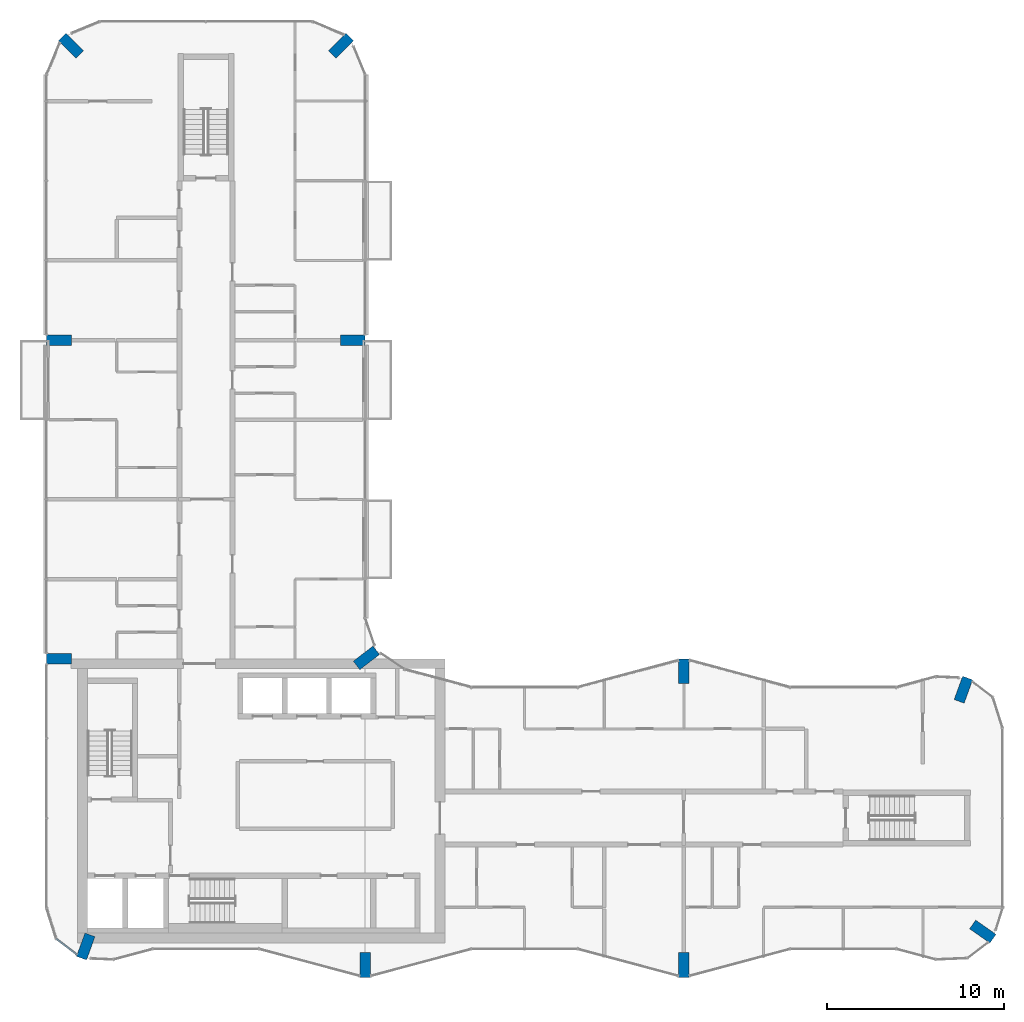
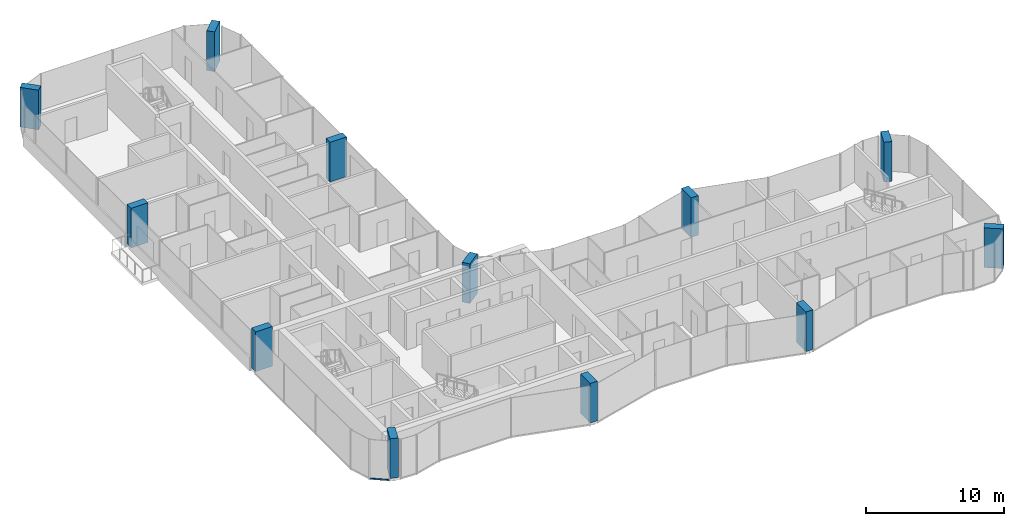
# One storey, part 1 of 15: 12 columns, 1 member, 1 element without a shape of its own.
"""IFC4 building model written with IfcOpenShell, lengths in metres."""

import ifcopenshell
import ifcopenshell.guid

model = None  # the IFC model being written
_history = None  # IfcOwnerHistory: only IFC2X3 demands one
_inside = {}  # id of a spatial element -> (the spatial element, [elements in it])
_under = {}  # id of a project, library or spatial element -> (it, [spatial elements below it])
_declared = {}  # id of a project -> (the project, [libraries it declares])
_typed = {}  # id of a type object -> (the type object, [elements of that type])
_made_of = {}  # id of a material, layer set ... -> (it, [elements and type objects made of it])


def new_model(schema):
    """Start an empty IFC model of exactly this schema.

    Asked for "IFC4X3", IfcOpenShell would pick the latest addendum, in which some entities
    have other attributes; the version numbers below select the first issue.
    IFC2X3 requires an IfcOwnerHistory on every rooted entity: one is made here for all.
    """
    global model, _history
    if schema == "IFC4X3":
        model = ifcopenshell.file(schema_version=(4, 3, 0, 0))
    else:
        model = ifcopenshell.file(schema=schema)
    _inside.clear()
    _under.clear()
    _declared.clear()
    _typed.clear()
    _made_of.clear()
    _history = None
    if model.schema == "IFC2X3":
        org = make("IfcOrganization", Name="unknown")
        user = make(
            "IfcPersonAndOrganization",
            ThePerson=make("IfcPerson", FamilyName="unknown"),
            TheOrganization=org,
        )
        app = make(
            "IfcApplication",
            ApplicationDeveloper=org,
            Version="unknown",
            ApplicationFullName="unknown",
            ApplicationIdentifier="unknown",
        )
        _history = make(
            "IfcOwnerHistory",
            OwningUser=user,
            OwningApplication=app,
            ChangeAction="ADDED",
            CreationDate=0,
        )
    return model


def make(cls, **values):
    """One entity of the class cls with the attributes given. An attribute that is None is left unset."""
    return model.create_entity(
        cls, **{name: value for name, value in values.items() if value is not None}
    )


def rooted(cls, **values):
    """An entity with a GlobalId (a new one), such as an element, a storey or a relation."""
    return make(cls, GlobalId=ifcopenshell.guid.new(), OwnerHistory=_history, **values)


def si_unit(unit_type, name, prefix=None):
    """IfcSIUnit, for example si_unit("LENGTHUNIT", "METRE", prefix="MILLI")."""
    return make("IfcSIUnit", UnitType=unit_type, Prefix=prefix, Name=name)


def assignment(units):
    """IfcUnitAssignment: the units of a project."""
    return None if units is None else make("IfcUnitAssignment", Units=units)


def point(xyz):
    """IfcCartesianPoint."""
    return None if xyz is None else make("IfcCartesianPoint", Coordinates=xyz)


def direction(xyz):
    """IfcDirection."""
    return None if xyz is None else make("IfcDirection", DirectionRatios=xyz)


def frame(location, z_axis=None, x_axis=None):
    """IfcAxis2Placement3D, a coordinate frame: its origin and axes. An axis left out is left unset."""
    return make(
        "IfcAxis2Placement3D",
        Location=point(location),
        Axis=direction(z_axis),
        RefDirection=direction(x_axis),
    )


def frame_2d(location, x_axis=None):
    """IfcAxis2Placement2D, a coordinate frame in the plane: its origin and x axis."""
    return make(
        "IfcAxis2Placement2D", Location=point(location), RefDirection=direction(x_axis)
    )


def origin():
    """The frame at (0, 0, 0) with its axes left unset."""
    return frame((0.0, 0.0, 0.0))


def origin_2d():
    """The frame at (0, 0) in the plane with its x axis left unset."""
    return frame_2d((0.0, 0.0))


def place(relative_to, where):
    """IfcLocalPlacement: puts the frame where relative to a parent placement (None: the world)."""
    return make(
        "IfcLocalPlacement", PlacementRelTo=relative_to, RelativePlacement=where
    )


def context(
    kind, dimensions, precision=None, world=None, true_north=None, identifier=None
):
    """IfcGeometricRepresentationContext, for example the 3D "Model" context."""
    return make(
        "IfcGeometricRepresentationContext",
        ContextIdentifier=identifier,
        ContextType=kind,
        CoordinateSpaceDimension=dimensions,
        Precision=precision,
        WorldCoordinateSystem=world,
        TrueNorth=true_north,
    )


def subcontext(parent, identifier, kind, view, scale=None):
    """IfcGeometricRepresentationSubContext, for example "Body" below "Model"."""
    return make(
        "IfcGeometricRepresentationSubContext",
        ContextIdentifier=identifier,
        ContextType=kind,
        ParentContext=parent,
        TargetScale=scale,
        TargetView=view,
    )


def project(units=None, contexts=None):
    """IfcProject with its units and contexts."""
    return rooted(
        "IfcProject",
        Name="project",
        RepresentationContexts=contexts,
        UnitsInContext=assignment(units),
    )


def spatial(cls, under=None, at=None, **own):
    """A site, building, storey or space (cls), placed at a placement, below another one or the project."""
    s = rooted(cls, ObjectPlacement=at, **own)
    if under is not None:
        _under.setdefault(under.id(), (under, []))[1].append(s)
    return s


def profile(cls, at=None, kind="AREA", **sizes):
    """A parametric profile (cls). Its sizes go by their IFC names, for example OverallWidth=200.0."""
    return make(cls, ProfileType=kind, Position=at, **sizes)


def rectangle(**sizes):
    """IfcRectangleProfileDef."""
    return profile("IfcRectangleProfileDef", **sizes)


def extrude(swept, where, along, depth):
    """IfcExtrudedAreaSolid: the profile swept, set in the frame where, extruded along a direction by depth."""
    return make(
        "IfcExtrudedAreaSolid",
        SweptArea=swept,
        Position=where,
        ExtrudedDirection=direction(along),
        Depth=depth,
    )


def shape(context_of_items, identifier, shape_type, items):
    """IfcShapeRepresentation: the items that make up one representation, for example the "Body"."""
    return make(
        "IfcShapeRepresentation",
        ContextOfItems=context_of_items,
        RepresentationIdentifier=identifier,
        RepresentationType=shape_type,
        Items=items,
    )


def material(Name=None, Category=None):
    """IfcMaterial."""
    return make("IfcMaterial", Name=Name, Category=Category)


def layer(
    of_material, thickness, ventilated=None, Name=None, Category=None, Priority=None
):
    """IfcMaterialLayer: one layer of a wall or slab, of a material (None: an air gap)."""
    return make(
        "IfcMaterialLayer",
        Material=of_material,
        LayerThickness=thickness,
        IsVentilated=ventilated,
        Name=Name,
        Category=Category,
        Priority=Priority,
    )


def layer_set(layers, Name=None):
    """IfcMaterialLayerSet."""
    return make("IfcMaterialLayerSet", MaterialLayers=layers, LayerSetName=Name)


def material_profile(
    of_material, cross_section, Name=None, Category=None, Priority=None
):
    """IfcMaterialProfile: a cross section and its material."""
    return make(
        "IfcMaterialProfile",
        Name=Name,
        Material=of_material,
        Profile=cross_section,
        Priority=Priority,
        Category=Category,
    )


def profile_set(profiles, Name=None, composite=None):
    """IfcMaterialProfileSet."""
    return make(
        "IfcMaterialProfileSet",
        Name=Name,
        MaterialProfiles=profiles,
        CompositeProfile=composite,
    )


def made_of(thing, what):
    """Note that an element or type object is made of a material, layer set ...; save() writes the relation."""
    if what is not None:
        _made_of.setdefault(what.id(), (what, []))[1].append(thing)
    return thing


def type_object(cls, material=None, **own):
    """A type object (cls), such as IfcWallType, which elements share."""
    return made_of(rooted(cls, **own), material)


def element(
    cls,
    number,
    at=None,
    inside=None,
    cuts=None,
    type_object=None,
    material=None,
    context=None,
    identifier="Body",
    shape_type=None,
    held_by="IfcProductDefinitionShape",
    body=None,
    shapes=None,
    **own,
):
    """One element of the class cls, such as IfcWall. Its Tag is "e" and its number.

    at: its placement. inside: the storey or other place that contains it. cuts: it is an
    opening in that element (IfcRelVoidsElement). A single representation is given by context,
    identifier, shape_type and body (its items); several are given by shapes. held_by: the class
    of the entity that holds the representations. save() writes the other relations.
    """
    e = rooted(cls, Tag="e%d" % number, ObjectPlacement=at, **own)
    if body is not None:
        shapes = [shape(context, identifier, shape_type, body)]
    if shapes is not None:
        e.Representation = make(held_by, Representations=shapes)
    if inside is not None:
        _inside.setdefault(inside.id(), (inside, []))[1].append(e)
    if cuts is not None:
        rooted(
            "IfcRelVoidsElement", RelatingBuildingElement=cuts, RelatedOpeningElement=e
        )
    if type_object is not None:
        _typed.setdefault(type_object.id(), (type_object, []))[1].append(e)
    return made_of(e, material)


def aggregate(whole, parts):
    """IfcRelAggregates: a whole, such as a stair, and the parts it consists of."""
    return rooted("IfcRelAggregates", RelatingObject=whole, RelatedObjects=parts)


def save(model, path):
    """Write the relations noted so far, then the file.

    IfcRelAggregates (storeys below a building ...), IfcRelContainedInSpatialStructure (elements
    in a storey), IfcRelDefinesByType, IfcRelAssociatesMaterial and IfcRelDeclares: one each for
    every whole, place, type object, material and project.
    """
    for whole, parts in _under.values():
        aggregate(whole, parts)
    for where, things in _inside.values():
        rooted(
            "IfcRelContainedInSpatialStructure",
            RelatedElements=things,
            RelatingStructure=where,
        )
    for kind, things in _typed.values():
        rooted("IfcRelDefinesByType", RelatedObjects=things, RelatingType=kind)
    for what, things in _made_of.values():
        rooted("IfcRelAssociatesMaterial", RelatedObjects=things, RelatingMaterial=what)
    for by, libraries in _declared.values():
        rooted("IfcRelDeclares", RelatingContext=by, RelatedDefinitions=libraries)
    model.write(path)


model = new_model("IFC4")

# Units and contexts
model_context = context("Model", 3, precision=1e-05, world=origin(), true_north=direction((0.0, 1.0)))
body_context = subcontext(model_context, "Body", "Model", "MODEL_VIEW")
ifc_project = project(units=[si_unit("LENGTHUNIT", "METRE"), si_unit("AREAUNIT", "SQUARE_METRE"), si_unit("VOLUMEUNIT", "CUBIC_METRE"), si_unit("PLANEANGLEUNIT", "RADIAN"), si_unit("MASSUNIT", "GRAM", prefix="KILO")], contexts=[model_context])

# Site, building, storey
site_placement = place(None, origin())
site = spatial("IfcSite", under=ifc_project, at=site_placement, CompositionType="ELEMENT")
building_placement = place(site_placement, origin())
building = spatial("IfcBuilding", under=site, at=building_placement, Name="Plateau Cross Towers", CompositionType="ELEMENT")
storey_placement = place(building_placement, frame((0.0, 0.0, 208.39990234375)))
storey = spatial("IfcBuildingStorey", under=building, at=storey_placement, Name="L54", CompositionType="ELEMENT", Elevation=208.39990234375)

# Columns
ifc_material_1 = material(Name="Concrete C60/75", Category="concrete")
ifc_material_profile_1 = material_profile(ifc_material_1, rectangle(XDim=0.60009765625, YDim=1.39990234375, at=origin_2d()), Name="RC 600x1400")
ifc_profile_set_1 = profile_set([ifc_material_profile_1], Name="Concrete C60/75")
column_type = type_object("IfcColumnType", Name="Fin pier column RC 600x1400", PredefinedType="COLUMN", material=ifc_profile_set_1)
for number, where, z_axis, x_axis, name in (
    (1, (18.0, 0.699951171875, 0.0), (0.0, 0.0, 1.0), (1.0, 0.0, 0.0), "PR1 L54"),
    (2, (36.0, 0.699951171875, 0.0), (0.0, 0.0, 1.0), (1.0, 0.0, 0.0), "PR2 L54"),
    (3, (52.884033203125, 2.590087890625, 0.0), (0.0, 0.0, 1.0), (0.573542637991, 0.819175709117, 0.0), "PR3 L54"),
    (4, (51.786865234375, 16.251953125, 0.0), (0.0, 0.0, 1.0), (-0.939664280925, 0.342097996418, 0.0), "PR4 L54"),
    (5, (36.0, 17.300048828125, 0.0), (0.0, 0.0, 1.0), (1.0, 0.0, 0.0), "PR5 L54"),
    (6, (18.064697265625, 18.049560546875, 0.0), (0.0, 0.0, 1.0), (-0.608810846443, 0.793315418515, 0.0), "PR6 L54"),
    (7, (17.300048828125, 36.0, 0.0), (0.0, 0.0, 1.0), (0.0, 1.0, 0.0), "PR7 L54"),
    (8, (16.62646484375, 52.62646484375, 0.0), (0.0, 0.0, 1.0), (-0.707106781187, 0.707106781187, 0.0), "PR8 L54"),
    (9, (1.37353515625, 52.62646484375, 0.0), (0.0, 0.0, 1.0), (0.707106781187, 0.707106781187, 0.0), "PR9 L54"),
    (10, (0.699951171875, 36.0, 0.0), (0.0, 0.0, 1.0), (0.0, 1.0, 0.0), "PR10 L54"),
    (11, (0.699951171875, 18.0, 0.0), (0.0, 0.0, 1.0), (0.0, 1.0, 0.0), "PR11 L54"),
    (12, (2.213134765625, 1.748046875, 0.0), (0.0, 0.0, 1.0), (-0.939664280925, 0.342097996418, 0.0), "PR12 L54"),
):
    element("IfcColumn", number, at=place(storey_placement, frame(where, z_axis=z_axis, x_axis=x_axis)), inside=storey, type_object=column_type, Name=name, PredefinedType="COLUMN", context=body_context, shape_type="SweptSolid", body=[
        extrude(rectangle(XDim=0.60009765625, YDim=1.39990234375, at=origin_2d()), origin(), (0.0, 0.0, 1.0), 3.5),
    ])

# Curtain wall, member
ifc_material_2 = material(Name="Dark low-iron glass", Category="glass")
ifc_layer = layer(ifc_material_2, 0.239990234375)
ifc_layer_set = layer_set([ifc_layer], Name="Dark low-iron glass")
curtain_wall_type = type_object("IfcCurtainWallType", Name="Curtain wall flush unitised CW-B", PredefinedType="NOTDEFINED", material=ifc_layer_set)
curtain_wall_placement = place(storey_placement, origin())
curtain_wall = element("IfcCurtainWall", 13, at=curtain_wall_placement, inside=storey, type_object=curtain_wall_type, Name="ENV/A/L54/A5_22", PredefinedType="NOTDEFINED")
ifc_material_3 = material(Name="Black anodised aluminium", Category="aluminium")
ifc_material_profile_2 = material_profile(ifc_material_3, rectangle(XDim=0.10009765625, YDim=0.1201171875, at=origin_2d()), Name="TRANSOM 100x120")
ifc_profile_set_2 = profile_set([ifc_material_profile_2], Name="Black anodised aluminium")
member_type = type_object("IfcMemberType", Name="Transom 100x120 flush unitised", PredefinedType="USERDEFINED", material=ifc_profile_set_2)
member_placement = place(storey_placement, frame((0.54248046875, 2.1884765625, -0.18994140625), z_axis=(0.793320508571, -0.608804213751, 0.0), x_axis=(0.608804213751, 0.793320508571, 0.0)))
member = element("IfcMember", 14, at=member_placement, type_object=member_type, Name="CW-B transom", ObjectType="TRANSOM", PredefinedType="USERDEFINED", context=body_context, shape_type="SweptSolid", body=[
    extrude(rectangle(XDim=0.10009765625, YDim=0.1201171875, at=origin_2d()), origin(), (0.0, 0.0, 1.0), 1.471435546875),
])
aggregate(curtain_wall, [member])

save(model, "model.ifc")
